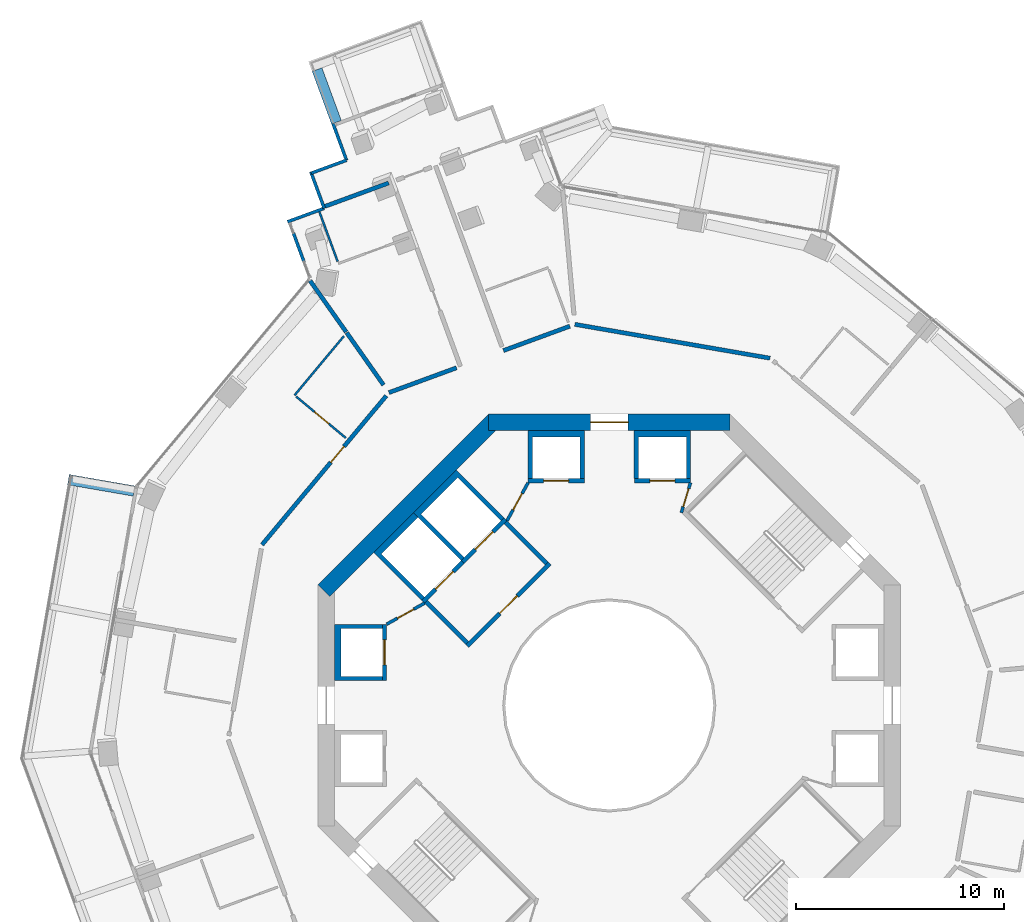
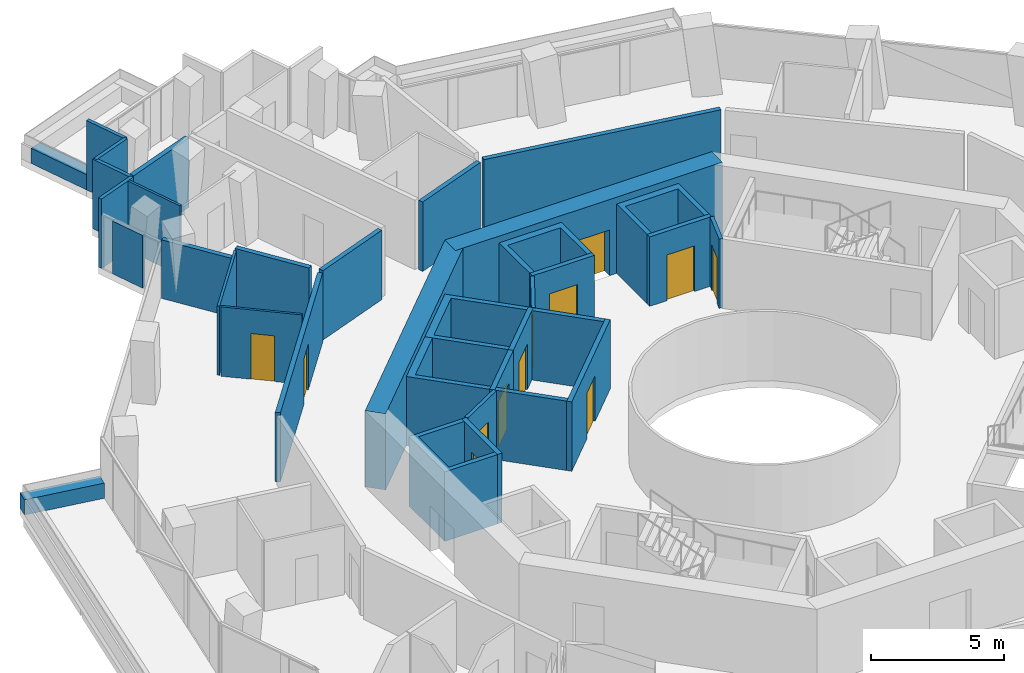
# One storey, part 19 of 24: 35 walls, 12 doors, 12 openings.
"""IFC4 building model written with IfcOpenShell, lengths in metres."""

from ifc_helpers import new_model, si_unit, direction, frame, frame_2d, origin, place, context, subcontext, project, spatial, polyline, rectangle, outline, extrude, material, layer, layer_set, type_object, element, fill, save


model = new_model("IFC4")

# Units and contexts
model_context = context("Model", 3, precision=1e-05, world=origin(), true_north=direction((0.0, 1.0)))
body_context = subcontext(model_context, "Body", "Model", "MODEL_VIEW")
ifc_project = project(units=[si_unit("LENGTHUNIT", "METRE"), si_unit("AREAUNIT", "SQUARE_METRE"), si_unit("VOLUMEUNIT", "CUBIC_METRE"), si_unit("PLANEANGLEUNIT", "RADIAN"), si_unit("MASSUNIT", "GRAM", prefix="KILO")], contexts=[model_context])

# Site, building, storey
site_placement = place(None, origin())
site = spatial("IfcSite", under=ifc_project, at=site_placement, CompositionType="ELEMENT")
building_placement = place(site_placement, origin())
building = spatial("IfcBuilding", under=site, at=building_placement, Name="Verdalira Terraces Hotel", CompositionType="ELEMENT")
storey_placement = place(building_placement, frame((0.0, 0.0, 115.0)))
storey = spatial("IfcBuildingStorey", under=building, at=storey_placement, Name="L27", CompositionType="ELEMENT", Elevation=115.0)

# Walls
ifc_material_1 = material(Name="Concrete C40", Category="concrete")
ifc_layer_1 = layer(ifc_material_1, 0.5)
ifc_layer_set_1 = layer_set([ifc_layer_1], Name="Balcony planter trough with tree")
wall_type_1 = type_object("IfcWallType", Name="Balcony planter trough with tree", PredefinedType="SOLIDWALL", material=ifc_layer_set_1)
wall_1_placement = place(storey_placement, frame((-14.039307, 30.550781, 0.0), z_axis=(0.0, 0.0, 1.0), x_axis=(0.344661298, -0.938727111, 0.0)))
element("IfcWall", 1, at=wall_1_placement, inside=storey, type_object=wall_type_1, Name="Balcony planter", PredefinedType="SOLIDWALL", context=body_context, shape_type="SweptSolid", body=[
    extrude(rectangle(XDim=2.69873, YDim=0.5, at=frame_2d((1.349365, 0.0))), origin(), (0.0, 0.0, 1.0), 0.699951),
])
wall_2_placement = place(storey_placement, frame((-22.834229, 10.303955, 0.0), z_axis=(0.0, 0.0, 1.0), x_axis=(-0.985293977, 0.170867726, 0.0)))
element("IfcWall", 2, at=wall_2_placement, inside=storey, type_object=wall_type_1, Name="Balcony planter", PredefinedType="SOLIDWALL", context=body_context, shape_type="SweptSolid", body=[
    extrude(rectangle(XDim=3.199219, YDim=0.5, at=frame_2d((1.599609, 0.0))), origin(), (0.0, 0.0, 1.0), 0.699951),
])
ifc_material_2 = material(Name="Moisture-resistant gypsum board partition")
ifc_layer_2 = layer(ifc_material_2, 0.10009765625)
ifc_layer_set_2 = layer_set([ifc_layer_2], Name="Bathroom partition 100 mm")
wall_type_2 = type_object("IfcWallType", Name="Bathroom partition 100 mm", PredefinedType="PARTITIONING", material=ifc_layer_set_2)
wall_3_placement = place(storey_placement, frame((-15.119629, 14.905029, 0.0), z_axis=(0.0, 0.0, 1.0), x_axis=(0.640638089, 0.767842978, 0.0)))
element("IfcWall", 3, at=wall_3_placement, inside=storey, type_object=wall_type_2, Name="Bathroom partition", PredefinedType="PARTITIONING", context=body_context, shape_type="SweptSolid", body=[
    extrude(rectangle(XDim=3.704102, YDim=0.100098, at=frame_2d((1.852051, 0.0))), origin(), (0.0, 0.0, 1.0), 3.189941),
])

# Wall, opening, door
wall_4_placement = place(storey_placement, frame((-15.042969, 14.841064, 0.0), z_axis=(0.0, 0.0, 1.0), x_axis=(0.767833833, -0.64064905, 0.0)))
wall_4 = element("IfcWall", 4, at=wall_4_placement, inside=storey, type_object=wall_type_2, Name="Bathroom partition", PredefinedType="PARTITIONING", context=body_context, shape_type="SweptSolid", body=[
    extrude(rectangle(XDim=3.100098, YDim=0.100098, at=frame_2d((1.550049, 0.0))), origin(), (0.0, 0.0, 1.0), 3.189941),
])
opening_1_placement = place(wall_4_placement, frame((1.149902, 0.0, 0.0)))
opening_1 = element("IfcOpeningElement", 5, at=opening_1_placement, cuts=wall_4, Name="Opening L27-107", PredefinedType="OPENING", context=body_context, shape_type="SweptSolid", body=[
    extrude(rectangle(XDim=0.899902, YDim=2.100098, at=frame_2d((0.449951, 1.050049))), frame((0.0, 0.060059, 0.0), z_axis=(0.0, -1.0, 0.0), x_axis=(1.0, 0.0, 0.0)), (0.0, 0.0, 1.0), 0.120117),
])
ifc_material_3 = material(Name="Timber door", Category="wood")
door_type_1 = type_object("IfcDoorType", Name="Bathroom door 900 x 2100", OperationType="NOTDEFINED", PredefinedType="DOOR", material=ifc_material_3)
door_1_placement = place(opening_1_placement, origin())
door_1 = element("IfcDoor", 6, at=door_1_placement, inside=storey, type_object=door_type_1, Name="Bathroom door 2703", OperationType="SINGLE_SWING_LEFT", OverallHeight=2.10009765625, OverallWidth=0.89990234375, PredefinedType="DOOR", context=body_context, shape_type="SweptSolid", body=[
    extrude(rectangle(XDim=0.899902, YDim=2.100098, at=frame_2d((0.449951, 1.050049))), frame((0.0, 0.024902, 0.0), z_axis=(0.0, -1.0, 0.0), x_axis=(1.0, 0.0, 0.0)), (0.0, 0.0, 1.0), 0.050049),
])
fill(opening_1, door_1)

# Walls
wall_5_placement = place(storey_placement, frame((-13.049561, 21.326904, 0.0), z_axis=(0.0, 0.0, 1.0), x_axis=(-0.344662518, 0.938726663, 0.0)))
element("IfcWall", 7, at=wall_5_placement, inside=storey, type_object=wall_type_2, Name="Bathroom partition", PredefinedType="PARTITIONING", context=body_context, shape_type="SweptSolid", body=[
    extrude(rectangle(XDim=2.550049, YDim=0.100098, at=frame_2d((1.274902, 0.0))), origin(), (0.0, 0.0, 1.0), 3.189941),
])
ifc_material_4 = material(Name="Concrete C50", Category="concrete")
ifc_layer_3 = layer(ifc_material_4, 0.199951171875)
ifc_layer_set_3 = layer_set([ifc_layer_3], Name="Core RC wall 200 C50")
wall_type_3 = type_object("IfcWallType", Name="Core RC wall 200 C50", PredefinedType="SOLIDWALL", material=ifc_layer_set_3)
wall_6_placement = place(storey_placement, origin())
element("IfcWall", 8, at=wall_6_placement, inside=storey, type_object=wall_type_3, Name="L27 shaft wall N1", PredefinedType="SOLIDWALL", context=body_context, shape_type="SweptSolid", body=[
    extrude(outline(polyline([(3.899902, 13.199951), (3.899902, 10.899902), (3.699951, 10.899902), (3.699951, 12.899902), (1.399902, 12.899902), (1.399902, 10.899902), (1.199951, 10.899902), (1.199951, 13.199951), (3.899902, 13.199951)])), origin(), (0.0, 0.0, 1.0), 3.189941),
])

# Wall, opening, door
wall_7_placement = place(storey_placement, frame((1.199951, 10.800049, 0.0), z_axis=(0.0, 0.0, 1.0), x_axis=(1.0, 0.0, 0.0)))
wall_7 = element("IfcWall", 9, at=wall_7_placement, inside=storey, type_object=wall_type_3, Name="L27 shaft front wall N1", PredefinedType="SOLIDWALL", context=body_context, shape_type="SweptSolid", body=[
    extrude(rectangle(XDim=2.699951, YDim=0.199951, at=frame_2d((1.350098, 0.0))), origin(), (0.0, 0.0, 1.0), 3.189941),
])
opening_2_placement = place(wall_7_placement, frame((0.75, 0.0, 0.0)))
opening_2 = element("IfcOpeningElement", 10, at=opening_2_placement, cuts=wall_7, Name="Opening LD-L27-803", PredefinedType="OPENING", context=body_context, shape_type="SweptSolid", body=[
    extrude(rectangle(XDim=1.199951, YDim=2.100098, at=frame_2d((0.600098, 1.050049))), frame((0.0, 0.109863, 0.0), z_axis=(0.0, -1.0, 0.0), x_axis=(1.0, 0.0, 0.0)), (0.0, 0.0, 1.0), 0.219971),
])
ifc_material_5 = material(Name="Stainless steel", Category="steel")
door_type_2 = type_object("IfcDoorType", Name="Landing door 1200 x 2100", OperationType="NOTDEFINED", PredefinedType="DOOR", material=ifc_material_5)
door_2_placement = place(opening_2_placement, origin())
door_2 = element("IfcDoor", 11, at=door_2_placement, inside=storey, type_object=door_type_2, Name="Lift landing door LR3 L27", OperationType="DOUBLE_DOOR_SLIDING", OverallHeight=2.10009765625, OverallWidth=1.199951171875, PredefinedType="DOOR", context=body_context, shape_type="SweptSolid", body=[
    extrude(rectangle(XDim=1.199951, YDim=2.100098, at=frame_2d((0.600098, 1.050049))), frame((0.0, 0.024902, 0.0), z_axis=(0.0, -1.0, 0.0), x_axis=(1.0, 0.0, 0.0)), (0.0, 0.0, 1.0), 0.050049),
])
fill(opening_2, door_2)

# Wall
wall_8_placement = place(storey_placement, origin())
element("IfcWall", 12, at=wall_8_placement, inside=storey, type_object=wall_type_3, Name="L27 shaft wall N2", PredefinedType="SOLIDWALL", context=body_context, shape_type="SweptSolid", body=[
    extrude(outline(polyline([(-3.899902, 10.899902), (-3.899902, 13.199951), (-1.199951, 13.199951), (-1.199951, 10.899902), (-1.399902, 10.899902), (-1.399902, 12.899902), (-3.699951, 12.899902), (-3.699951, 10.899902), (-3.899902, 10.899902)])), origin(), (0.0, 0.0, 1.0), 3.189941),
])

# Wall, opening, door
wall_9_placement = place(storey_placement, frame((-1.199951, 10.800049, 0.0), z_axis=(0.0, 0.0, 1.0), x_axis=(-1.0, 0.0, 0.0)))
wall_9 = element("IfcWall", 13, at=wall_9_placement, inside=storey, type_object=wall_type_3, Name="L27 shaft front wall N2", PredefinedType="SOLIDWALL", context=body_context, shape_type="SweptSolid", body=[
    extrude(rectangle(XDim=2.699951, YDim=0.199951, at=frame_2d((1.350098, 0.0))), origin(), (0.0, 0.0, 1.0), 3.189941),
])
opening_3_placement = place(wall_9_placement, frame((0.75, 0.0, 0.0)))
opening_3 = element("IfcOpeningElement", 14, at=opening_3_placement, cuts=wall_9, Name="Opening LD-L27-804", PredefinedType="OPENING", context=body_context, shape_type="SweptSolid", body=[
    extrude(rectangle(XDim=1.199951, YDim=2.100098, at=frame_2d((0.600098, 1.050049))), frame((0.0, 0.109863, 0.0), z_axis=(0.0, -1.0, 0.0), x_axis=(1.0, 0.0, 0.0)), (0.0, 0.0, 1.0), 0.219971),
])
door_3_placement = place(opening_3_placement, origin())
door_3 = element("IfcDoor", 15, at=door_3_placement, inside=storey, type_object=door_type_2, Name="Lift landing door LR4 L27", OperationType="DOUBLE_DOOR_SLIDING", OverallHeight=2.10009765625, OverallWidth=1.199951171875, PredefinedType="DOOR", context=body_context, shape_type="SweptSolid", body=[
    extrude(rectangle(XDim=1.199951, YDim=2.100098, at=frame_2d((0.600098, 1.050049))), frame((0.0, 0.024902, 0.0), z_axis=(0.0, -1.0, 0.0), x_axis=(1.0, 0.0, 0.0)), (0.0, 0.0, 1.0), 0.050049),
])
fill(opening_3, door_3)

# Wall
wall_10_placement = place(storey_placement, origin())
element("IfcWall", 16, at=wall_10_placement, inside=storey, type_object=wall_type_3, Name="L27 shaft wall W1", PredefinedType="SOLIDWALL", context=body_context, shape_type="SweptSolid", body=[
    extrude(outline(polyline([(-13.199951, 3.899902), (-10.899902, 3.899902), (-10.899902, 3.699951), (-12.899902, 3.699951), (-12.899902, 1.399902), (-10.899902, 1.399902), (-10.899902, 1.199951), (-13.199951, 1.199951), (-13.199951, 3.899902)])), origin(), (0.0, 0.0, 1.0), 3.189941),
])

# Wall, opening, door
wall_11_placement = place(storey_placement, frame((-10.800049, 1.199951, 0.0), z_axis=(0.0, 0.0, 1.0), x_axis=(0.0, 1.0, 0.0)))
wall_11 = element("IfcWall", 17, at=wall_11_placement, inside=storey, type_object=wall_type_3, Name="L27 shaft front wall W1", PredefinedType="SOLIDWALL", context=body_context, shape_type="SweptSolid", body=[
    extrude(rectangle(XDim=2.699951, YDim=0.199951, at=frame_2d((1.350098, 0.0))), origin(), (0.0, 0.0, 1.0), 3.189941),
])
opening_4_placement = place(wall_11_placement, frame((0.75, 0.0, 0.0)))
opening_4 = element("IfcOpeningElement", 18, at=opening_4_placement, cuts=wall_11, Name="Opening LD-L27-805", PredefinedType="OPENING", context=body_context, shape_type="SweptSolid", body=[
    extrude(rectangle(XDim=1.199951, YDim=2.100098, at=frame_2d((0.600098, 1.050049))), frame((0.0, 0.109863, 0.0), z_axis=(0.0, -1.0, 0.0), x_axis=(1.0, 0.0, 0.0)), (0.0, 0.0, 1.0), 0.219971),
])
door_4_placement = place(opening_4_placement, origin())
door_4 = element("IfcDoor", 19, at=door_4_placement, inside=storey, type_object=door_type_2, Name="Lift landing door LR5 L27", OperationType="DOUBLE_DOOR_SLIDING", OverallHeight=2.10009765625, OverallWidth=1.199951171875, PredefinedType="DOOR", context=body_context, shape_type="SweptSolid", body=[
    extrude(rectangle(XDim=1.199951, YDim=2.100098, at=frame_2d((0.600098, 1.050049))), frame((0.0, 0.024902, 0.0), z_axis=(0.0, -1.0, 0.0), x_axis=(1.0, 0.0, 0.0)), (0.0, 0.0, 1.0), 0.050049),
])
fill(opening_4, door_4)

# Wall
wall_12_placement = place(storey_placement, origin())
element("IfcWall", 20, at=wall_12_placement, inside=storey, type_object=wall_type_3, Name="L27 shaft wall F1", PredefinedType="SOLIDWALL", context=body_context, shape_type="SweptSolid", body=[
    extrude(outline(polyline([(-9.404541, 9.263184), (-7.354004, 11.313721), (-5.055908, 9.015625), (-5.197266, 8.874268), (-7.283203, 10.960205), (-9.051025, 9.192383), (-6.965088, 7.106445), (-7.106445, 6.965088), (-9.404541, 9.263184)])), origin(), (0.0, 0.0, 1.0), 3.189941),
])

# Wall, opening, door
wall_13_placement = place(storey_placement, frame((-4.985107, 8.944824, 0.0), z_axis=(0.0, 0.0, 1.0), x_axis=(-0.707106781, -0.707106781, 0.0)))
wall_13 = element("IfcWall", 21, at=wall_13_placement, inside=storey, type_object=wall_type_3, Name="L27 shaft front wall F1", PredefinedType="SOLIDWALL", context=body_context, shape_type="SweptSolid", body=[
    extrude(rectangle(XDim=2.899902, YDim=0.199951, at=frame_2d((1.449951, 0.0))), origin(), (0.0, 0.0, 1.0), 3.189941),
])
opening_5_placement = place(wall_13_placement, frame((0.850098, 0.0, 0.0)))
opening_5 = element("IfcOpeningElement", 22, at=opening_5_placement, cuts=wall_13, Name="Opening LD-L27-807", PredefinedType="OPENING", context=body_context, shape_type="SweptSolid", body=[
    extrude(rectangle(XDim=1.199951, YDim=2.100098, at=frame_2d((0.600098, 1.050049))), frame((0.0, 0.109863, 0.0), z_axis=(0.0, -1.0, 0.0), x_axis=(1.0, 0.0, 0.0)), (0.0, 0.0, 1.0), 0.219971),
])
door_5_placement = place(opening_5_placement, origin())
door_5 = element("IfcDoor", 23, at=door_5_placement, inside=storey, type_object=door_type_2, Name="Lift landing door LF11 L27", OperationType="DOUBLE_DOOR_SLIDING", OverallHeight=2.10009765625, OverallWidth=1.199951171875, PredefinedType="DOOR", context=body_context, shape_type="SweptSolid", body=[
    extrude(rectangle(XDim=1.199951, YDim=2.100098, at=frame_2d((0.600098, 1.050049))), frame((0.0, 0.024902, 0.0), z_axis=(0.0, -1.0, 0.0), x_axis=(1.0, 0.0, 0.0)), (0.0, 0.0, 1.0), 0.050049),
])
fill(opening_5, door_5)

# Wall
wall_14_placement = place(storey_placement, origin())
element("IfcWall", 24, at=wall_14_placement, inside=storey, type_object=wall_type_3, Name="L27 shaft wall F2", PredefinedType="SOLIDWALL", context=body_context, shape_type="SweptSolid", body=[
    extrude(outline(polyline([(-11.313721, 7.354004), (-9.404541, 9.263184), (-9.192383, 9.051025), (-10.960205, 7.283203), (-8.874268, 5.197266), (-9.015625, 5.055908), (-11.313721, 7.354004)])), origin(), (0.0, 0.0, 1.0), 3.189941),
])

# Wall, opening, door
wall_15_placement = place(storey_placement, frame((-7.035645, 6.894287, 0.0), z_axis=(0.0, 0.0, 1.0), x_axis=(-0.707106781, -0.707106781, 0.0)))
wall_15 = element("IfcWall", 25, at=wall_15_placement, inside=storey, type_object=wall_type_3, Name="L27 shaft front wall F2", PredefinedType="SOLIDWALL", context=body_context, shape_type="SweptSolid", body=[
    extrude(rectangle(XDim=2.699951, YDim=0.199951, at=frame_2d((1.350098, 0.0))), origin(), (0.0, 0.0, 1.0), 3.189941),
])
opening_6_placement = place(wall_15_placement, frame((0.649902, 0.0, 0.0)))
opening_6 = element("IfcOpeningElement", 26, at=opening_6_placement, cuts=wall_15, Name="Opening LD-L27-808", PredefinedType="OPENING", context=body_context, shape_type="SweptSolid", body=[
    extrude(rectangle(XDim=1.199951, YDim=2.100098, at=frame_2d((0.600098, 1.050049))), frame((0.0, 0.109863, 0.0), z_axis=(0.0, -1.0, 0.0), x_axis=(1.0, 0.0, 0.0)), (0.0, 0.0, 1.0), 0.219971),
])
door_6_placement = place(opening_6_placement, origin())
door_6 = element("IfcDoor", 27, at=door_6_placement, inside=storey, type_object=door_type_2, Name="Lift landing door LF12 L27", OperationType="DOUBLE_DOOR_SLIDING", OverallHeight=2.10009765625, OverallWidth=1.199951171875, PredefinedType="DOOR", context=body_context, shape_type="SweptSolid", body=[
    extrude(rectangle(XDim=1.199951, YDim=2.100098, at=frame_2d((0.600098, 1.050049))), frame((0.0, 0.024902, 0.0), z_axis=(0.0, -1.0, 0.0), x_axis=(1.0, 0.0, 0.0)), (0.0, 0.0, 1.0), 0.050049),
])
fill(opening_6, door_6)

wall_16_placement = place(storey_placement, frame((-2.86377, 6.823486, 0.0), z_axis=(0.0, 0.0, 1.0), x_axis=(-0.707106781, -0.707106781, 0.0)))
wall_16 = element("IfcWall", 28, at=wall_16_placement, inside=storey, type_object=wall_type_3, Name="L27 fire lobby wall", PredefinedType="SOLIDWALL", context=body_context, shape_type="SweptSolid", body=[
    extrude(rectangle(XDim=5.599854, YDim=0.199951, at=frame_2d((2.799805, 0.0))), origin(), (0.0, 0.0, 1.0), 3.189941),
])
opening_7_placement = place(wall_16_placement, frame((2.199951, 0.0, 0.0)))
opening_7 = element("IfcOpeningElement", 29, at=opening_7_placement, cuts=wall_16, Name="Opening L27-819", PredefinedType="OPENING", context=body_context, shape_type="SweptSolid", body=[
    extrude(rectangle(XDim=1.199951, YDim=2.100098, at=frame_2d((0.600098, 1.050049))), frame((0.0, 0.109863, 0.0), z_axis=(0.0, -1.0, 0.0), x_axis=(1.0, 0.0, 0.0)), (0.0, 0.0, 1.0), 0.219971),
])
ifc_material_6 = material(Name="Steel fire door", Category="steel")
door_type_3 = type_object("IfcDoorType", Name="Lobby door 1200 x 2100", OperationType="NOTDEFINED", PredefinedType="DOOR", material=ifc_material_6)
door_7_placement = place(opening_7_placement, origin())
door_7 = element("IfcDoor", 30, at=door_7_placement, inside=storey, type_object=door_type_3, Name="Fire lobby door L27", OperationType="SINGLE_SWING_LEFT", OverallHeight=2.10009765625, OverallWidth=1.199951171875, PredefinedType="DOOR", context=body_context, shape_type="SweptSolid", body=[
    extrude(rectangle(XDim=1.199951, YDim=2.100098, at=frame_2d((0.600098, 1.050049))), frame((0.0, 0.024902, 0.0), z_axis=(0.0, -1.0, 0.0), x_axis=(1.0, 0.0, 0.0)), (0.0, 0.0, 1.0), 0.050049),
])
fill(opening_7, door_7)

# Walls
for number, where, z_axis, x_axis, name in (
    (31, (-3.005127, 6.823486, 0.0), (0.0, 0.0, 1.0), (-0.707106781, 0.707106781, 0.0), "L27 fire lobby wall"),
    (32, (-6.823486, 3.005127, 0.0), (0.0, 0.0, 1.0), (-0.707106781, 0.707106781, 0.0), "L27 fire lobby wall"),
):
    element("IfcWall", number, at=place(storey_placement, frame(where, z_axis=z_axis, x_axis=x_axis)), inside=storey, type_object=wall_type_3, Name=name, PredefinedType="SOLIDWALL", context=body_context, shape_type="SweptSolid", body=[
        extrude(rectangle(XDim=2.800049, YDim=0.199951, at=frame_2d((1.399902, 0.0))), origin(), (0.0, 0.0, 1.0), 3.189941),
    ])

# Wall, opening, door
ifc_material_7 = material(Name="Gypsum board partition")
ifc_layer_4 = layer(ifc_material_7, 0.14990234375)
ifc_layer_set_4 = layer_set([ifc_layer_4], Name="Core partition 150 mm")
wall_type_4 = type_object("IfcWallType", Name="Core partition 150 mm", PredefinedType="PARTITIONING", material=ifc_layer_set_4)
wall_17_placement = place(storey_placement, frame((3.464844, 9.263184, 0.0), z_axis=(0.0, 0.0, 1.0), x_axis=(0.289808785, 0.957084567, 0.0)))
wall_17 = element("IfcWall", 33, at=wall_17_placement, inside=storey, type_object=wall_type_4, Name="Room partition L27", PredefinedType="PARTITIONING", context=body_context, shape_type="SweptSolid", body=[
    extrude(rectangle(XDim=1.501221, YDim=0.149902, at=frame_2d((0.750488, 0.0))), origin(), (0.0, 0.0, 1.0), 3.189941),
])
opening_8_placement = place(wall_17_placement, frame((0.300781, 0.0, 0.0)))
opening_8 = element("IfcOpeningElement", 34, at=opening_8_placement, cuts=wall_17, Name="Opening L27-820", PredefinedType="OPENING", context=body_context, shape_type="SweptSolid", body=[
    extrude(rectangle(XDim=0.899902, YDim=2.100098, at=frame_2d((0.449951, 1.050049))), frame((0.0, 0.084961, 0.0), z_axis=(0.0, -1.0, 0.0), x_axis=(1.0, 0.0, 0.0)), (0.0, 0.0, 1.0), 0.169922),
])
ifc_material_8 = material(Name="Steel fire door", Category="steel")
door_type_4 = type_object("IfcDoorType", Name="Core room door 900 x 2100", OperationType="NOTDEFINED", PredefinedType="DOOR", material=ifc_material_8)
door_8_placement = place(opening_8_placement, origin())
door_8 = element("IfcDoor", 35, at=door_8_placement, inside=storey, type_object=door_type_4, Name="Door L27 room1", OperationType="SINGLE_SWING_LEFT", OverallHeight=2.10009765625, OverallWidth=0.89990234375, PredefinedType="DOOR", context=body_context, shape_type="SweptSolid", body=[
    extrude(rectangle(XDim=0.899902, YDim=2.100098, at=frame_2d((0.449951, 1.050049))), frame((0.0, 0.024902, 0.0), z_axis=(0.0, -1.0, 0.0), x_axis=(1.0, 0.0, 0.0)), (0.0, 0.0, 1.0), 0.050049),
])
fill(opening_8, door_8)

wall_18_placement = place(storey_placement, frame((-3.899902, 10.699951, 0.0), z_axis=(0.0, 0.0, 1.0), x_axis=(-0.485692555, -0.874129705, 0.0)))
wall_18 = element("IfcWall", 36, at=wall_18_placement, inside=storey, type_object=wall_type_4, Name="Room partition L27", PredefinedType="PARTITIONING", context=body_context, shape_type="SweptSolid", body=[
    extrude(rectangle(XDim=2.088623, YDim=0.149902, at=frame_2d((1.044434, 0.0))), origin(), (0.0, 0.0, 1.0), 3.189941),
])
opening_9_placement = place(wall_18_placement, frame((0.594238, 0.0, 0.0)))
opening_9 = element("IfcOpeningElement", 37, at=opening_9_placement, cuts=wall_18, Name="Opening L27-821", PredefinedType="OPENING", context=body_context, shape_type="SweptSolid", body=[
    extrude(rectangle(XDim=0.899902, YDim=2.100098, at=frame_2d((0.449951, 1.050049))), frame((0.0, 0.084961, 0.0), z_axis=(0.0, -1.0, 0.0), x_axis=(1.0, 0.0, 0.0)), (0.0, 0.0, 1.0), 0.169922),
])
door_9_placement = place(opening_9_placement, origin())
door_9 = element("IfcDoor", 38, at=door_9_placement, inside=storey, type_object=door_type_4, Name="Door L27 room2", OperationType="SINGLE_SWING_LEFT", OverallHeight=2.10009765625, OverallWidth=0.89990234375, PredefinedType="DOOR", context=body_context, shape_type="SweptSolid", body=[
    extrude(rectangle(XDim=0.899902, YDim=2.100098, at=frame_2d((0.449951, 1.050049))), frame((0.0, 0.024902, 0.0), z_axis=(0.0, -1.0, 0.0), x_axis=(1.0, 0.0, 0.0)), (0.0, 0.0, 1.0), 0.050049),
])
fill(opening_9, door_9)

wall_19_placement = place(storey_placement, frame((-8.874268, 4.914307, 0.0), z_axis=(0.0, 0.0, 1.0), x_axis=(-0.874129705, -0.485692555, 0.0)))
wall_19 = element("IfcWall", 39, at=wall_19_placement, inside=storey, type_object=wall_type_4, Name="Room partition L27", PredefinedType="PARTITIONING", context=body_context, shape_type="SweptSolid", body=[
    extrude(rectangle(XDim=2.088623, YDim=0.149902, at=frame_2d((1.044434, 0.0))), origin(), (0.0, 0.0, 1.0), 3.189941),
])
opening_10_placement = place(wall_19_placement, frame((0.594238, 0.0, 0.0)))
opening_10 = element("IfcOpeningElement", 40, at=opening_10_placement, cuts=wall_19, Name="Opening L27-822", PredefinedType="OPENING", context=body_context, shape_type="SweptSolid", body=[
    extrude(rectangle(XDim=0.899902, YDim=2.100098, at=frame_2d((0.449951, 1.050049))), frame((0.0, 0.084961, 0.0), z_axis=(0.0, -1.0, 0.0), x_axis=(1.0, 0.0, 0.0)), (0.0, 0.0, 1.0), 0.169922),
])
door_10_placement = place(opening_10_placement, origin())
door_10 = element("IfcDoor", 41, at=door_10_placement, inside=storey, type_object=door_type_4, Name="Door L27 room3", OperationType="SINGLE_SWING_LEFT", OverallHeight=2.10009765625, OverallWidth=0.89990234375, PredefinedType="DOOR", context=body_context, shape_type="SweptSolid", body=[
    extrude(rectangle(XDim=0.899902, YDim=2.100098, at=frame_2d((0.449951, 1.050049))), frame((0.0, 0.024902, 0.0), z_axis=(0.0, -1.0, 0.0), x_axis=(1.0, 0.0, 0.0)), (0.0, 0.0, 1.0), 0.050049),
])
fill(opening_10, door_10)

ifc_material_9 = material(Name="Concrete C70", Category="concrete")
ifc_layer_5 = layer(ifc_material_9, 0.800048828125)
ifc_layer_set_5 = layer_set([ifc_layer_5], Name="Core wall 800 C70")
wall_type_5 = type_object("IfcWallType", Name="Core wall 800 C70", PredefinedType="SHEAR", material=ifc_layer_set_5)
wall_20_placement = place(storey_placement, frame((5.799072, 13.600098, 0.0), z_axis=(0.0, 0.0, 1.0), x_axis=(-1.0, 0.0, 0.0)))
wall_20 = element("IfcWall", 42, at=wall_20_placement, inside=storey, type_object=wall_type_5, Name="Core wall CW-L27-3", PredefinedType="SHEAR", context=body_context, shape_type="SweptSolid", body=[
    extrude(rectangle(XDim=11.598145, YDim=0.800049, at=frame_2d((5.799072, 0.0))), origin(), (0.0, 0.0, 1.0), 3.5),
])
opening_11_placement = place(wall_20_placement, frame((4.898926, 0.0, 0.0)))
opening_11 = element("IfcOpeningElement", 43, at=opening_11_placement, cuts=wall_20, Name="Opening L27-813", PredefinedType="OPENING", context=body_context, shape_type="SweptSolid", body=[
    extrude(rectangle(XDim=1.800049, YDim=2.100098, at=frame_2d((0.899902, 1.050049))), frame((0.0, 0.409912, 0.0), z_axis=(0.0, -1.0, 0.0), x_axis=(1.0, 0.0, 0.0)), (0.0, 0.0, 1.0), 0.820068),
])
ifc_material_10 = material(Name="Steel fire door", Category="steel")
door_type_5 = type_object("IfcDoorType", Name="Core entry door pair 1800 x 2100", OperationType="NOTDEFINED", PredefinedType="DOOR", material=ifc_material_10)
door_11_placement = place(opening_11_placement, origin())
door_11 = element("IfcDoor", 44, at=door_11_placement, inside=storey, type_object=door_type_5, Name="Core entry door L27 2", OperationType="DOUBLE_DOOR_SINGLE_SWING", OverallHeight=2.10009765625, OverallWidth=1.800048828125, PredefinedType="DOOR", context=body_context, shape_type="SweptSolid", body=[
    extrude(rectangle(XDim=1.800049, YDim=2.100098, at=frame_2d((0.899902, 1.050049))), frame((0.0, 0.024902, 0.0), z_axis=(0.0, -1.0, 0.0), x_axis=(1.0, 0.0, 0.0)), (0.0, 0.0, 1.0), 0.050049),
])
fill(opening_11, door_11)

# Walls
wall_21_placement = place(storey_placement, frame((-5.516113, 13.717285, 0.0), z_axis=(0.0, 0.0, 1.0), x_axis=(-0.707106781, -0.707106781, 0.0)))
element("IfcWall", 45, at=wall_21_placement, inside=storey, type_object=wall_type_5, Name="Core wall CW-L27-4", PredefinedType="SHEAR", context=body_context, shape_type="SweptSolid", body=[
    extrude(rectangle(XDim=11.598145, YDim=0.800049, at=frame_2d((5.799072, 0.0))), origin(), (0.0, 0.0, 1.0), 3.5),
])
ifc_material_11 = material(Name="Fire-rated gypsum board wall")
ifc_layer_6 = layer(ifc_material_11, 0.199951171875)
ifc_layer_set_6 = layer_set([ifc_layer_6], Name="Demising wall 200 mm")
wall_type_6 = type_object("IfcWallType", Name="Demising wall 200 mm", PredefinedType="SOLIDWALL", material=ifc_layer_set_6)
wall_22_placement = place(storey_placement, frame((-10.598877, 25.102783, 0.0), z_axis=(0.0, 0.0, 1.0), x_axis=(-0.938725784, -0.344664913, 0.0)))
element("IfcWall", 46, at=wall_22_placement, inside=storey, type_object=wall_type_6, Name="Demising wall", PredefinedType="SOLIDWALL", context=body_context, shape_type="SweptSolid", body=[
    extrude(rectangle(XDim=3.251953, YDim=0.199951, at=frame_2d((1.625977, 0.0))), origin(), (0.0, 0.0, 1.0), 3.189941),
])
wall_23_placement = place(storey_placement, frame((-10.844482, 15.395996, 0.0), z_axis=(0.0, 0.0, 1.0), x_axis=(-0.575863088, 0.817546148, 0.0)))
element("IfcWall", 47, at=wall_23_placement, inside=storey, type_object=wall_type_6, Name="Demising wall", PredefinedType="SOLIDWALL", context=body_context, shape_type="SweptSolid", body=[
    extrude(rectangle(XDim=3.074951, YDim=0.199951, at=frame_2d((1.537598, 0.0))), origin(), (0.0, 0.0, 1.0), 3.189941),
])
ifc_material_12 = material(Name="Fire-rated gypsum board wall")
ifc_layer_7 = layer(ifc_material_12, 0.199951171875)
ifc_layer_set_7 = layer_set([ifc_layer_7], Name="Demising wall 200 mm to beam soffit")
wall_type_7 = type_object("IfcWallType", Name="Demising wall 200 mm to beam soffit", PredefinedType="SOLIDWALL", material=ifc_layer_set_7)
wall_24_placement = place(storey_placement, frame((-12.641602, 17.947266, 0.0), z_axis=(0.0, 0.0, 1.0), x_axis=(-0.575919056, 0.817506723, 0.0)))
element("IfcWall", 48, at=wall_24_placement, inside=storey, type_object=wall_type_7, Name="Demising wall", PredefinedType="SOLIDWALL", context=body_context, shape_type="SweptSolid", body=[
    extrude(rectangle(XDim=3.011475, YDim=0.199951, at=frame_2d((1.505859, 0.0))), origin(), (0.0, 0.0, 1.0), 2.689941),
])

# Wall, opening, door
ifc_material_13 = material(Name="Fire-rated gypsum board wall")
ifc_layer_8 = layer(ifc_material_13, 0.199951171875)
ifc_layer_set_8 = layer_set([ifc_layer_8], Name="Guest corridor wall 200 mm")
wall_type_8 = type_object("IfcWallType", Name="Guest corridor wall 200 mm", PredefinedType="SOLIDWALL", material=ifc_layer_set_8)
wall_25_placement = place(storey_placement, frame((-16.683594, 7.723633, 0.0), z_axis=(0.0, 0.0, 1.0), x_axis=(0.640650848, 0.767832332, 0.0)))
wall_25 = element("IfcWall", 49, at=wall_25_placement, inside=storey, type_object=wall_type_8, Name="Guest corridor wall", PredefinedType="SOLIDWALL", context=body_context, shape_type="SweptSolid", body=[
    extrude(rectangle(XDim=9.315918, YDim=0.199951, at=frame_2d((4.657959, 0.0))), origin(), (0.0, 0.0, 1.0), 3.189941),
])
opening_12_placement = place(wall_25_placement, frame((5.149902, 0.0, 0.0)))
opening_12 = element("IfcOpeningElement", 50, at=opening_12_placement, cuts=wall_25, Name="Opening L27-106", PredefinedType="OPENING", context=body_context, shape_type="SweptSolid", body=[
    extrude(rectangle(XDim=1.0, YDim=2.100098, at=frame_2d((0.5, 1.050049))), frame((0.0, 0.109863, 0.0), z_axis=(0.0, -1.0, 0.0), x_axis=(1.0, 0.0, 0.0)), (0.0, 0.0, 1.0), 0.219971),
])
ifc_material_14 = material(Name="Timber fire door", Category="wood")
door_type_6 = type_object("IfcDoorType", Name="Guest entry door 1000 x 2100", OperationType="NOTDEFINED", PredefinedType="DOOR", material=ifc_material_14)
door_12_placement = place(opening_12_placement, origin())
door_12 = element("IfcDoor", 51, at=door_12_placement, inside=storey, type_object=door_type_6, Name="Guest entry door 2703", OperationType="SINGLE_SWING_LEFT", OverallHeight=2.10009765625, OverallWidth=1.0, PredefinedType="DOOR", context=body_context, shape_type="SweptSolid", body=[
    extrude(rectangle(XDim=1.0, YDim=2.100098, at=frame_2d((0.5, 1.050049))), frame((0.0, 0.024902, 0.0), z_axis=(0.0, -1.0, 0.0), x_axis=(1.0, 0.0, 0.0)), (0.0, 0.0, 1.0), 0.050049),
])
fill(opening_12, door_12)

# Walls
wall_26_placement = place(storey_placement, frame((-7.340576, 16.222412, 0.0), z_axis=(0.0, 0.0, 1.0), x_axis=(-0.938737821, -0.344632128, 0.0)))
element("IfcWall", 52, at=wall_26_placement, inside=storey, type_object=wall_type_8, Name="Guest corridor wall", PredefinedType="SOLIDWALL", context=body_context, shape_type="SweptSolid", body=[
    extrude(rectangle(XDim=3.458496, YDim=0.199951, at=frame_2d((1.729248, 0.0))), origin(), (0.0, 0.0, 1.0), 3.189941),
])
wall_27_placement = place(storey_placement, frame((-1.895996, 18.221191, 0.0), z_axis=(0.0, 0.0, 1.0), x_axis=(-0.938747051, -0.344606984, 0.0)))
element("IfcWall", 53, at=wall_27_placement, inside=storey, type_object=wall_type_8, Name="Guest corridor wall", PredefinedType="SOLIDWALL", context=body_context, shape_type="SweptSolid", body=[
    extrude(rectangle(XDim=3.399902, YDim=0.199951, at=frame_2d((1.699951, 0.0))), origin(), (0.0, 0.0, 1.0), 3.189941),
])
wall_28_placement = place(storey_placement, frame((7.722656, 16.684082, 0.0), z_axis=(0.0, 0.0, 1.0), x_axis=(-0.985289421, 0.170893991, 0.0)))
element("IfcWall", 54, at=wall_28_placement, inside=storey, type_object=wall_type_8, Name="Guest corridor wall", PredefinedType="SOLIDWALL", context=body_context, shape_type="SweptSolid", body=[
    extrude(rectangle(XDim=9.515869, YDim=0.199951, at=frame_2d((4.757812, 0.0))), origin(), (0.0, 0.0, 1.0), 3.189941),
])
ifc_material_15 = material(Name="Terracotta cladding", Category="masonry")
ifc_layer_9 = layer(ifc_material_15, 0.14990234375)
ifc_layer_set_9 = layer_set([ifc_layer_9], Name="Terracotta clad wall 150")
wall_type_9 = type_object("IfcWallType", Name="Terracotta clad wall 150", PredefinedType="SOLIDWALL", material=ifc_layer_set_9)
wall_29_placement = place(storey_placement, frame((-13.272949, 27.956055, 0.0), z_axis=(0.0, 0.0, 1.0), x_axis=(0.344637184, -0.938735965, 0.0)))
element("IfcWall", 55, at=wall_29_placement, inside=storey, type_object=wall_type_9, Name="Terracotta cladding wall", PredefinedType="SOLIDWALL", context=body_context, shape_type="SweptSolid", body=[
    extrude(rectangle(XDim=1.875244, YDim=0.149902, at=frame_2d((0.9375, 0.0))), origin(), (0.0, 0.0, 1.0), 3.189941),
])
wall_30_placement = place(storey_placement, frame((-12.626709, 26.195801, 0.0), z_axis=(0.0, 0.0, 1.0), x_axis=(-0.938747672, -0.344605293, 0.0)))
element("IfcWall", 56, at=wall_30_placement, inside=storey, type_object=wall_type_9, Name="Terracotta cladding wall", PredefinedType="SOLIDWALL", context=body_context, shape_type="SweptSolid", body=[
    extrude(rectangle(XDim=1.800293, YDim=0.149902, at=frame_2d((0.900146, 0.0))), origin(), (0.0, 0.0, 1.0), 3.189941),
])
for number, where, z_axis, x_axis, name in (
    (57, (-14.342285, 25.645996, 0.0), (0.0, 0.0, 1.0), (0.344522442, -0.938778082, 0.0), "Terracotta cladding wall"),
    (58, (-13.696289, 23.885742, 0.0), (0.0, 0.0, 1.0), (-0.938720497, -0.344679311, 0.0), "Terracotta cladding wall"),
):
    element("IfcWall", number, at=place(storey_placement, frame(where, z_axis=z_axis, x_axis=x_axis)), inside=storey, type_object=wall_type_9, Name=name, PredefinedType="SOLIDWALL", context=body_context, shape_type="SweptSolid", body=[
        extrude(rectangle(XDim=1.875, YDim=0.149902, at=frame_2d((0.9375, 0.0))), origin(), (0.0, 0.0, 1.0), 3.189941),
    ])
ifc_material_16 = material(Name="Terracotta cladding", Category="masonry")
ifc_layer_10 = layer(ifc_material_16, 0.14990234375)
ifc_layer_set_10 = layer_set([ifc_layer_10], Name="Terracotta column pier 150")
wall_type_10 = type_object("IfcWallType", Name="Terracotta column pier 150", PredefinedType="SOLIDWALL", material=ifc_layer_set_10)
wall_31_placement = place(storey_placement, frame((-15.17749, 22.69751, 0.0), z_axis=(0.0, 0.0, 1.0), x_axis=(0.344671943, -0.938723203, 0.0)))
element("IfcWall", 59, at=wall_31_placement, inside=storey, type_object=wall_type_10, Name="Terracotta column pier", PredefinedType="SOLIDWALL", context=body_context, shape_type="SweptSolid", body=[
    extrude(rectangle(XDim=1.478271, YDim=0.149902, at=frame_2d((0.739258, 0.0))), origin(), (0.0, 0.0, 1.0), 2.425049),
])

save(model, "model.ifc")
